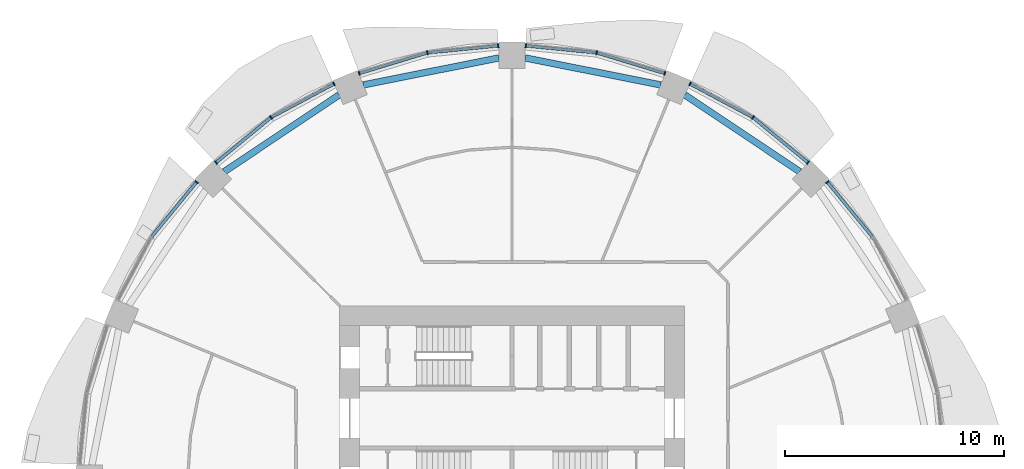
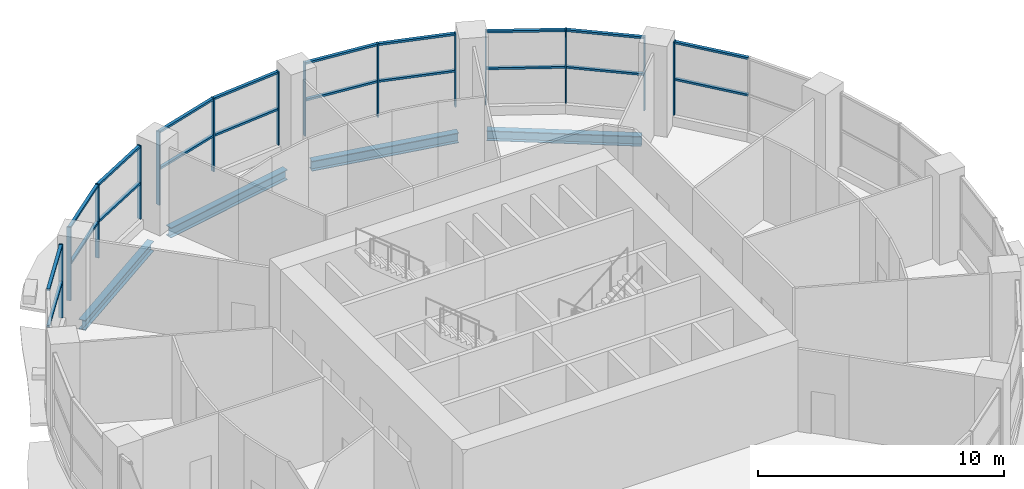
# One storey, part 5 of 14: 34 members, 4 beams, 6 elements without a shape of their own.
"""IFC4 building model written with IfcOpenShell, lengths in metres."""

from ifc_helpers import new_model, si_unit, direction, frame, origin, origin_2d, place, context, subcontext, project, spatial, rectangle, i_section, extrude, material, material_profile, profile_set, type_object, element, aggregate, save


model = new_model("IFC4")

# Units and contexts
model_context = context("Model", 3, precision=1e-05, world=origin(), true_north=direction((0.0, 1.0)))
body_context = subcontext(model_context, "Body", "Model", "MODEL_VIEW")
ifc_project = project(units=[si_unit("LENGTHUNIT", "METRE"), si_unit("AREAUNIT", "SQUARE_METRE"), si_unit("VOLUMEUNIT", "CUBIC_METRE"), si_unit("PLANEANGLEUNIT", "RADIAN"), si_unit("MASSUNIT", "GRAM", prefix="KILO")], contexts=[model_context])

# Site, building, storey
site_placement = place(None, origin())
site = spatial("IfcSite", under=ifc_project, at=site_placement, CompositionType="ELEMENT")
building_placement = place(site_placement, origin())
building = spatial("IfcBuilding", under=site, at=building_placement, Name="Polderwave Tower", CompositionType="ELEMENT")
storey_placement = place(building_placement, frame((0.0, 0.0, 9.89990234375)))
storey = spatial("IfcBuildingStorey", under=building, at=storey_placement, Name="L02", CompositionType="ELEMENT", Elevation=9.89990234375)

# Beams
ifc_material_1 = material(Name="Steel S355", Category="steel")
ifc_material_profile_1 = material_profile(ifc_material_1, i_section(OverallWidth=0.300048828125, OverallDepth=0.5, WebThickness=0.014404296875, FlangeThickness=0.028076171875, at=origin_2d()), Name="HE 500 B")
ifc_profile_set_1 = profile_set([ifc_material_profile_1], Name="Steel S355")
beam_type = type_object("IfcBeamType", Name="RING BEAM HE 500 B", PredefinedType="BEAM", material=ifc_profile_set_1)
for number, where, z_axis, x_axis, name in (
    (1, (13.152587890625, 14.001220703125, -0.64990234375), (-0.831466929557, 0.555574248011, 0.0), (-0.555574248011, -0.831466929557, 0.0), "ST-RB-L02-02"),
    (2, (6.79345703125, 17.96875, -0.64990234375), (-0.980785346507, 0.195089989691, 0.0), (-0.195089989691, -0.980785346507, 0.0), "ST-RB-L02-03"),
    (3, (-0.60009765625, 19.20068359375, -0.64990234375), (-0.980785346507, -0.195089989691, 0.0), (0.195089989691, -0.980785346507, 0.0), "ST-RB-L02-04"),
    (4, (-7.902099609375, 17.509521484375, -0.64990234375), (-0.831466929557, -0.555574248011, 0.0), (0.555574248011, -0.831466929557, 0.0), "ST-RB-L02-05"),
):
    element("IfcBeam", number, at=place(storey_placement, frame(where, z_axis=z_axis, x_axis=x_axis)), inside=storey, type_object=beam_type, Name=name, PredefinedType="BEAM", context=body_context, shape_type="SweptSolid", body=[
        extrude(i_section(OverallWidth=0.300048828125, OverallDepth=0.5, WebThickness=0.014404296875, FlangeThickness=0.028076171875, at=origin_2d()), origin(), (0.0, 0.0, 1.0), 6.314697265625),
    ])

# Curtain wall, member
ifc_material_2 = material(Name="Aluminium 6063-T6 and glass", Category="aluminium")
curtain_wall_type = type_object("IfcCurtainWallType", Name="Shopfront glazing wall", PredefinedType="NOTDEFINED", material=ifc_material_2)
curtain_wall_1_placement = place(storey_placement, origin())
curtain_wall_1 = element("IfcCurtainWall", 5, at=curtain_wall_1_placement, inside=storey, type_object=curtain_wall_type, Name="CW1 L02 01", PredefinedType="NOTDEFINED")
ifc_material_3 = material(Name="Aluminium 6063-T6", Category="aluminium")
ifc_material_profile_2 = material_profile(ifc_material_3, rectangle(XDim=0.179931640625, YDim=0.06005859375, at=origin_2d()), Name="AL 60x180")
ifc_profile_set_2 = profile_set([ifc_material_profile_2], Name="Aluminium 6063-T6")
member_type_1 = type_object("IfcMemberType", Name="Shopfront glazing mullion 60x180", PredefinedType="MULLION", material=ifc_profile_set_2)
member_1_placement = place(storey_placement, frame((14.416015625, 13.52587890625, 0.4501953125), z_axis=(0.0, 0.0, 1.0), x_axis=(-0.772992737459, -0.63441487044, 0.0)))
member_1 = element("IfcMember", 6, at=member_1_placement, type_object=member_type_1, Name="CW1 mullion 3", PredefinedType="MULLION", context=body_context, shape_type="SweptSolid", body=[
    extrude(rectangle(XDim=0.179931640625, YDim=0.06005859375, at=origin_2d()), origin(), (0.0, 0.0, 1.0), 3.64990234375),
])

# Curtain wall, members
curtain_wall_2_placement = place(storey_placement, origin())
curtain_wall_2 = element("IfcCurtainWall", 7, at=curtain_wall_2_placement, inside=storey, type_object=curtain_wall_type, Name="CW1 L02 02", PredefinedType="NOTDEFINED")
member_2_placement = place(storey_placement, frame((13.52587890625, 14.416015625, 0.4501953125), z_axis=(0.0, 0.0, 1.0), x_axis=(-0.63441487044, -0.772992737459, 0.0)))
member_2 = element("IfcMember", 8, at=member_2_placement, type_object=member_type_1, Name="CW1 mullion 1", PredefinedType="MULLION", context=body_context, shape_type="SweptSolid", body=[
    extrude(rectangle(XDim=0.179931640625, YDim=0.06005859375, at=origin_2d()), origin(), (0.0, 0.0, 1.0), 3.64990234375),
])
member_3_placement = place(storey_placement, frame((11.010986328125, 16.47998046875, 0.4501953125), z_axis=(0.0, 0.0, 1.0), x_axis=(-0.555535404015, -0.831492883245, 0.0)))
member_3 = element("IfcMember", 9, at=member_3_placement, type_object=member_type_1, Name="CW1 mullion 2", PredefinedType="MULLION", context=body_context, shape_type="SweptSolid", body=[
    extrude(rectangle(XDim=0.179931640625, YDim=0.06005859375, at=origin_2d()), origin(), (0.0, 0.0, 1.0), 3.64990234375),
])
member_4_placement = place(storey_placement, frame((8.142578125, 18.012939453125, 0.4501953125), z_axis=(0.0, 0.0, 1.0), x_axis=(-0.471299761669, -0.881973091795, 0.0)))
member_4 = element("IfcMember", 10, at=member_4_placement, type_object=member_type_1, Name="CW1 mullion 3", PredefinedType="MULLION", context=body_context, shape_type="SweptSolid", body=[
    extrude(rectangle(XDim=0.179931640625, YDim=0.06005859375, at=origin_2d()), origin(), (0.0, 0.0, 1.0), 3.64990234375),
])

curtain_wall_3_placement = place(storey_placement, origin())
curtain_wall_3 = element("IfcCurtainWall", 11, at=curtain_wall_3_placement, inside=storey, type_object=curtain_wall_type, Name="CW1 L02 03", PredefinedType="NOTDEFINED")
member_5_placement = place(storey_placement, frame((6.979248046875, 18.49462890625, 0.4501953125), z_axis=(0.0, 0.0, 1.0), x_axis=(-0.290336452284, -0.956924628419, 0.0)))
member_5 = element("IfcMember", 12, at=member_5_placement, type_object=member_type_1, Name="CW1 mullion 1", PredefinedType="MULLION", context=body_context, shape_type="SweptSolid", body=[
    extrude(rectangle(XDim=0.179931640625, YDim=0.06005859375, at=origin_2d()), origin(), (0.0, 0.0, 1.0), 3.64990234375),
])
member_6_placement = place(storey_placement, frame((3.866943359375, 19.43896484375, 0.4501953125), z_axis=(0.0, 0.0, 1.0), x_axis=(-0.195151946188, -0.980773020581, 0.0)))
member_6 = element("IfcMember", 13, at=member_6_placement, type_object=member_type_1, Name="CW1 mullion 2", PredefinedType="MULLION", context=body_context, shape_type="SweptSolid", body=[
    extrude(rectangle(XDim=0.179931640625, YDim=0.06005859375, at=origin_2d()), origin(), (0.0, 0.0, 1.0), 3.64990234375),
])
member_7_placement = place(storey_placement, frame((0.6298828125, 19.758056640625, 0.4501953125), z_axis=(0.0, 0.0, 1.0), x_axis=(-0.098086617091, -0.99517788136, 0.0)))
member_7 = element("IfcMember", 14, at=member_7_placement, type_object=member_type_1, Name="CW1 mullion 3", PredefinedType="MULLION", context=body_context, shape_type="SweptSolid", body=[
    extrude(rectangle(XDim=0.179931640625, YDim=0.06005859375, at=origin_2d()), origin(), (0.0, 0.0, 1.0), 3.64990234375),
])

curtain_wall_4_placement = place(storey_placement, origin())
curtain_wall_4 = element("IfcCurtainWall", 15, at=curtain_wall_4_placement, inside=storey, type_object=curtain_wall_type, Name="CW1 L02 04", PredefinedType="NOTDEFINED")
member_8_placement = place(storey_placement, frame((-0.6298828125, 19.758056640625, 0.4501953125), z_axis=(0.0, 0.0, 1.0), x_axis=(0.098086617091, -0.99517788136, 0.0)))
member_8 = element("IfcMember", 16, at=member_8_placement, type_object=member_type_1, Name="CW1 mullion 1", PredefinedType="MULLION", context=body_context, shape_type="SweptSolid", body=[
    extrude(rectangle(XDim=0.179931640625, YDim=0.06005859375, at=origin_2d()), origin(), (0.0, 0.0, 1.0), 3.64990234375),
])
member_9_placement = place(storey_placement, frame((-3.866943359375, 19.43896484375, 0.4501953125), z_axis=(0.0, 0.0, 1.0), x_axis=(0.195151946188, -0.980773020581, 0.0)))
member_9 = element("IfcMember", 17, at=member_9_placement, type_object=member_type_1, Name="CW1 mullion 2", PredefinedType="MULLION", context=body_context, shape_type="SweptSolid", body=[
    extrude(rectangle(XDim=0.179931640625, YDim=0.06005859375, at=origin_2d()), origin(), (0.0, 0.0, 1.0), 3.64990234375),
])
member_10_placement = place(storey_placement, frame((-6.979248046875, 18.49462890625, 0.4501953125), z_axis=(0.0, 0.0, 1.0), x_axis=(0.290336452284, -0.956924628419, 0.0)))
member_10 = element("IfcMember", 18, at=member_10_placement, type_object=member_type_1, Name="CW1 mullion 3", PredefinedType="MULLION", context=body_context, shape_type="SweptSolid", body=[
    extrude(rectangle(XDim=0.179931640625, YDim=0.06005859375, at=origin_2d()), origin(), (0.0, 0.0, 1.0), 3.64990234375),
])

curtain_wall_5_placement = place(storey_placement, origin())
curtain_wall_5 = element("IfcCurtainWall", 19, at=curtain_wall_5_placement, inside=storey, type_object=curtain_wall_type, Name="CW1 L02 05", PredefinedType="NOTDEFINED")
member_11_placement = place(storey_placement, frame((-8.142578125, 18.012939453125, 0.4501953125), z_axis=(0.0, 0.0, 1.0), x_axis=(0.471299761669, -0.881973091795, 0.0)))
member_11 = element("IfcMember", 20, at=member_11_placement, type_object=member_type_1, Name="CW1 mullion 1", PredefinedType="MULLION", context=body_context, shape_type="SweptSolid", body=[
    extrude(rectangle(XDim=0.179931640625, YDim=0.06005859375, at=origin_2d()), origin(), (0.0, 0.0, 1.0), 3.64990234375),
])
member_12_placement = place(storey_placement, frame((-11.010986328125, 16.47998046875, 0.4501953125), z_axis=(0.0, 0.0, 1.0), x_axis=(0.555535404015, -0.831492883245, 0.0)))
member_12 = element("IfcMember", 21, at=member_12_placement, type_object=member_type_1, Name="CW1 mullion 2", PredefinedType="MULLION", context=body_context, shape_type="SweptSolid", body=[
    extrude(rectangle(XDim=0.179931640625, YDim=0.06005859375, at=origin_2d()), origin(), (0.0, 0.0, 1.0), 3.64990234375),
])
member_13_placement = place(storey_placement, frame((-13.52587890625, 14.416015625, 0.4501953125), z_axis=(0.0, 0.0, 1.0), x_axis=(0.63441487044, -0.772992737459, 0.0)))
member_13 = element("IfcMember", 22, at=member_13_placement, type_object=member_type_1, Name="CW1 mullion 3", PredefinedType="MULLION", context=body_context, shape_type="SweptSolid", body=[
    extrude(rectangle(XDim=0.179931640625, YDim=0.06005859375, at=origin_2d()), origin(), (0.0, 0.0, 1.0), 3.64990234375),
])

# Curtain wall, member
curtain_wall_6_placement = place(storey_placement, origin())
curtain_wall_6 = element("IfcCurtainWall", 23, at=curtain_wall_6_placement, inside=storey, type_object=curtain_wall_type, Name="CW1 L02 06", PredefinedType="NOTDEFINED")
member_14_placement = place(storey_placement, frame((-14.416015625, 13.52587890625, 0.4501953125), z_axis=(0.0, 0.0, 1.0), x_axis=(0.772992737459, -0.63441487044, 0.0)))
member_14 = element("IfcMember", 24, at=member_14_placement, type_object=member_type_1, Name="CW1 mullion 1", PredefinedType="MULLION", context=body_context, shape_type="SweptSolid", body=[
    extrude(rectangle(XDim=0.179931640625, YDim=0.06005859375, at=origin_2d()), origin(), (0.0, 0.0, 1.0), 3.64990234375),
])

# Member
ifc_material_profile_3 = material_profile(ifc_material_3, rectangle(XDim=0.139892578125, YDim=0.10009765625, at=origin_2d()), Name="AL 100x140")
ifc_profile_set_3 = profile_set([ifc_material_profile_3], Name="Aluminium 6063-T6")
member_type_2 = type_object("IfcMemberType", Name="Shopfront glazing transom 100x140", PredefinedType="USERDEFINED", material=ifc_profile_set_3)
member_15_placement = place(storey_placement, frame((16.4609375, 11.0341796875, 2.22509765625), z_axis=(-0.634398617513, 0.773006076365, 0.0), x_axis=(-0.773006076365, -0.634398617513, 0.0)))
member_15 = element("IfcMember", 25, at=member_15_placement, type_object=member_type_2, Name="CW1 transom 3", ObjectType="TRANSOM", PredefinedType="USERDEFINED", context=body_context, shape_type="SweptSolid", body=[
    extrude(rectangle(XDim=0.139892578125, YDim=0.10009765625, at=origin_2d()), origin(), (0.0, 0.0, 1.0), 3.193359375),
])

member_16_placement = place(storey_placement, frame((16.4609375, 11.0341796875, 4.050048828125), z_axis=(-0.634398617513, 0.773006076365, 0.0), x_axis=(-0.773006076365, -0.634398617513, 0.0)))
member_16 = element("IfcMember", 26, at=member_16_placement, type_object=member_type_2, Name="CW1 transom 4", ObjectType="TRANSOM", PredefinedType="USERDEFINED", context=body_context, shape_type="SweptSolid", body=[
    extrude(rectangle(XDim=0.139892578125, YDim=0.10009765625, at=origin_2d()), origin(), (0.0, 0.0, 1.0), 3.193359375),
])

aggregate(curtain_wall_1, [member_1, member_15, member_16])

member_17_placement = place(storey_placement, frame((13.502685546875, 14.43505859375, 2.22509765625), z_axis=(-0.773006076365, 0.634398617513, 0.0), x_axis=(-0.634398617513, -0.773006076365, 0.0)))
member_17 = element("IfcMember", 27, at=member_17_placement, type_object=member_type_2, Name="CW1 transom 1", ObjectType="TRANSOM", PredefinedType="USERDEFINED", context=body_context, shape_type="SweptSolid", body=[
    extrude(rectangle(XDim=0.139892578125, YDim=0.10009765625, at=origin_2d()), origin(), (0.0, 0.0, 1.0), 3.193359375),
])

member_18_placement = place(storey_placement, frame((13.502685546875, 14.43505859375, 4.050048828125), z_axis=(-0.773006076365, 0.634398617513, 0.0), x_axis=(-0.634398617513, -0.773006076365, 0.0)))
member_18 = element("IfcMember", 28, at=member_18_placement, type_object=member_type_2, Name="CW1 transom 2", ObjectType="TRANSOM", PredefinedType="USERDEFINED", context=body_context, shape_type="SweptSolid", body=[
    extrude(rectangle(XDim=0.139892578125, YDim=0.10009765625, at=origin_2d()), origin(), (0.0, 0.0, 1.0), 3.193359375),
])

member_19_placement = place(storey_placement, frame((10.984619140625, 16.494140625, 2.22509765625), z_axis=(-0.88196948709, 0.471306507321, 0.0), x_axis=(-0.471306507321, -0.88196948709, 0.0)))
member_19 = element("IfcMember", 29, at=member_19_placement, type_object=member_type_2, Name="CW1 transom 3", ObjectType="TRANSOM", PredefinedType="USERDEFINED", context=body_context, shape_type="SweptSolid", body=[
    extrude(rectangle(XDim=0.139892578125, YDim=0.10009765625, at=origin_2d()), origin(), (0.0, 0.0, 1.0), 3.1923828125),
])

member_20_placement = place(storey_placement, frame((10.984619140625, 16.494140625, 4.050048828125), z_axis=(-0.88196948709, 0.471306507321, 0.0), x_axis=(-0.471306507321, -0.88196948709, 0.0)))
member_20 = element("IfcMember", 30, at=member_20_placement, type_object=member_type_2, Name="CW1 transom 4", ObjectType="TRANSOM", PredefinedType="USERDEFINED", context=body_context, shape_type="SweptSolid", body=[
    extrude(rectangle(XDim=0.139892578125, YDim=0.10009765625, at=origin_2d()), origin(), (0.0, 0.0, 1.0), 3.1923828125),
])

aggregate(curtain_wall_2, [member_2, member_3, member_4, member_17, member_18, member_19, member_20])

member_21_placement = place(storey_placement, frame((6.95068359375, 18.50341796875, 2.22509765625), z_axis=(-0.956914352531, 0.290370318593, 0.0), x_axis=(-0.290370318593, -0.956914352531, 0.0)))
member_21 = element("IfcMember", 31, at=member_21_placement, type_object=member_type_2, Name="CW1 transom 1", ObjectType="TRANSOM", PredefinedType="USERDEFINED", context=body_context, shape_type="SweptSolid", body=[
    extrude(rectangle(XDim=0.139892578125, YDim=0.10009765625, at=origin_2d()), origin(), (0.0, 0.0, 1.0), 3.1923828125),
])

member_22_placement = place(storey_placement, frame((6.95068359375, 18.50341796875, 4.050048828125), z_axis=(-0.956914352531, 0.290370318593, 0.0), x_axis=(-0.290370318593, -0.956914352531, 0.0)))
member_22 = element("IfcMember", 32, at=member_22_placement, type_object=member_type_2, Name="CW1 transom 2", ObjectType="TRANSOM", PredefinedType="USERDEFINED", context=body_context, shape_type="SweptSolid", body=[
    extrude(rectangle(XDim=0.139892578125, YDim=0.10009765625, at=origin_2d()), origin(), (0.0, 0.0, 1.0), 3.1923828125),
])

member_23_placement = place(storey_placement, frame((3.837158203125, 19.44189453125, 2.22509765625), z_axis=(-0.995176261955, 0.098103046031, 0.0), x_axis=(-0.098103046031, -0.995176261955, 0.0)))
member_23 = element("IfcMember", 33, at=member_23_placement, type_object=member_type_2, Name="CW1 transom 3", ObjectType="TRANSOM", PredefinedType="USERDEFINED", context=body_context, shape_type="SweptSolid", body=[
    extrude(rectangle(XDim=0.139892578125, YDim=0.10009765625, at=origin_2d()), origin(), (0.0, 0.0, 1.0), 3.19287109375),
])

member_24_placement = place(storey_placement, frame((3.837158203125, 19.44189453125, 4.050048828125), z_axis=(-0.995176261955, 0.098103046031, 0.0), x_axis=(-0.098103046031, -0.995176261955, 0.0)))
member_24 = element("IfcMember", 34, at=member_24_placement, type_object=member_type_2, Name="CW1 transom 4", ObjectType="TRANSOM", PredefinedType="USERDEFINED", context=body_context, shape_type="SweptSolid", body=[
    extrude(rectangle(XDim=0.139892578125, YDim=0.10009765625, at=origin_2d()), origin(), (0.0, 0.0, 1.0), 3.19287109375),
])

aggregate(curtain_wall_3, [member_5, member_6, member_7, member_21, member_22, member_23, member_24])

member_25_placement = place(storey_placement, frame((-0.65966796875, 19.755126953125, 2.22509765625), z_axis=(-0.995176261955, -0.098103046031, 0.0), x_axis=(0.098103046031, -0.995176261955, 0.0)))
member_25 = element("IfcMember", 35, at=member_25_placement, type_object=member_type_2, Name="CW1 transom 1", ObjectType="TRANSOM", PredefinedType="USERDEFINED", context=body_context, shape_type="SweptSolid", body=[
    extrude(rectangle(XDim=0.139892578125, YDim=0.10009765625, at=origin_2d()), origin(), (0.0, 0.0, 1.0), 3.19287109375),
])

member_26_placement = place(storey_placement, frame((-0.65966796875, 19.755126953125, 4.050048828125), z_axis=(-0.995176261955, -0.098103046031, 0.0), x_axis=(0.098103046031, -0.995176261955, 0.0)))
member_26 = element("IfcMember", 36, at=member_26_placement, type_object=member_type_2, Name="CW1 transom 2", ObjectType="TRANSOM", PredefinedType="USERDEFINED", context=body_context, shape_type="SweptSolid", body=[
    extrude(rectangle(XDim=0.139892578125, YDim=0.10009765625, at=origin_2d()), origin(), (0.0, 0.0, 1.0), 3.19287109375),
])

member_27_placement = place(storey_placement, frame((-3.895751953125, 19.430419921875, 2.22509765625), z_axis=(-0.956914352531, -0.290370318593, 0.0), x_axis=(0.290370318593, -0.956914352531, 0.0)))
member_27 = element("IfcMember", 37, at=member_27_placement, type_object=member_type_2, Name="CW1 transom 3", ObjectType="TRANSOM", PredefinedType="USERDEFINED", context=body_context, shape_type="SweptSolid", body=[
    extrude(rectangle(XDim=0.139892578125, YDim=0.10009765625, at=origin_2d()), origin(), (0.0, 0.0, 1.0), 3.1923828125),
])

member_28_placement = place(storey_placement, frame((-3.895751953125, 19.430419921875, 4.050048828125), z_axis=(-0.956914352531, -0.290370318593, 0.0), x_axis=(0.290370318593, -0.956914352531, 0.0)))
member_28 = element("IfcMember", 38, at=member_28_placement, type_object=member_type_2, Name="CW1 transom 4", ObjectType="TRANSOM", PredefinedType="USERDEFINED", context=body_context, shape_type="SweptSolid", body=[
    extrude(rectangle(XDim=0.139892578125, YDim=0.10009765625, at=origin_2d()), origin(), (0.0, 0.0, 1.0), 3.1923828125),
])

aggregate(curtain_wall_4, [member_8, member_9, member_10, member_25, member_26, member_27, member_28])

member_29_placement = place(storey_placement, frame((-8.1689453125, 17.998779296875, 2.22509765625), z_axis=(-0.88196948709, -0.471306507321, 0.0), x_axis=(0.471306507321, -0.88196948709, 0.0)))
member_29 = element("IfcMember", 39, at=member_29_placement, type_object=member_type_2, Name="CW1 transom 1", ObjectType="TRANSOM", PredefinedType="USERDEFINED", context=body_context, shape_type="SweptSolid", body=[
    extrude(rectangle(XDim=0.139892578125, YDim=0.10009765625, at=origin_2d()), origin(), (0.0, 0.0, 1.0), 3.1923828125),
])

member_30_placement = place(storey_placement, frame((-8.1689453125, 17.998779296875, 4.050048828125), z_axis=(-0.88196948709, -0.471306507321, 0.0), x_axis=(0.471306507321, -0.88196948709, 0.0)))
member_30 = element("IfcMember", 40, at=member_30_placement, type_object=member_type_2, Name="CW1 transom 2", ObjectType="TRANSOM", PredefinedType="USERDEFINED", context=body_context, shape_type="SweptSolid", body=[
    extrude(rectangle(XDim=0.139892578125, YDim=0.10009765625, at=origin_2d()), origin(), (0.0, 0.0, 1.0), 3.1923828125),
])

member_31_placement = place(storey_placement, frame((-11.0341796875, 16.4609375, 2.22509765625), z_axis=(-0.773006076365, -0.634398617513, 0.0), x_axis=(0.634398617513, -0.773006076365, 0.0)))
member_31 = element("IfcMember", 41, at=member_31_placement, type_object=member_type_2, Name="CW1 transom 3", ObjectType="TRANSOM", PredefinedType="USERDEFINED", context=body_context, shape_type="SweptSolid", body=[
    extrude(rectangle(XDim=0.139892578125, YDim=0.10009765625, at=origin_2d()), origin(), (0.0, 0.0, 1.0), 3.193359375),
])

member_32_placement = place(storey_placement, frame((-11.0341796875, 16.4609375, 4.050048828125), z_axis=(-0.773006076365, -0.634398617513, 0.0), x_axis=(0.634398617513, -0.773006076365, 0.0)))
member_32 = element("IfcMember", 42, at=member_32_placement, type_object=member_type_2, Name="CW1 transom 4", ObjectType="TRANSOM", PredefinedType="USERDEFINED", context=body_context, shape_type="SweptSolid", body=[
    extrude(rectangle(XDim=0.139892578125, YDim=0.10009765625, at=origin_2d()), origin(), (0.0, 0.0, 1.0), 3.193359375),
])

aggregate(curtain_wall_5, [member_11, member_12, member_13, member_29, member_30, member_31, member_32])

member_33_placement = place(storey_placement, frame((-14.43505859375, 13.502685546875, 2.22509765625), z_axis=(-0.634398617513, -0.773006076365, 0.0), x_axis=(0.773006076365, -0.634398617513, 0.0)))
member_33 = element("IfcMember", 43, at=member_33_placement, type_object=member_type_2, Name="CW1 transom 1", ObjectType="TRANSOM", PredefinedType="USERDEFINED", context=body_context, shape_type="SweptSolid", body=[
    extrude(rectangle(XDim=0.139892578125, YDim=0.10009765625, at=origin_2d()), origin(), (0.0, 0.0, 1.0), 3.193359375),
])

member_34_placement = place(storey_placement, frame((-14.43505859375, 13.502685546875, 4.050048828125), z_axis=(-0.634398617513, -0.773006076365, 0.0), x_axis=(0.773006076365, -0.634398617513, 0.0)))
member_34 = element("IfcMember", 44, at=member_34_placement, type_object=member_type_2, Name="CW1 transom 2", ObjectType="TRANSOM", PredefinedType="USERDEFINED", context=body_context, shape_type="SweptSolid", body=[
    extrude(rectangle(XDim=0.139892578125, YDim=0.10009765625, at=origin_2d()), origin(), (0.0, 0.0, 1.0), 3.193359375),
])

aggregate(curtain_wall_6, [member_14, member_33, member_34])

save(model, "model.ifc")
